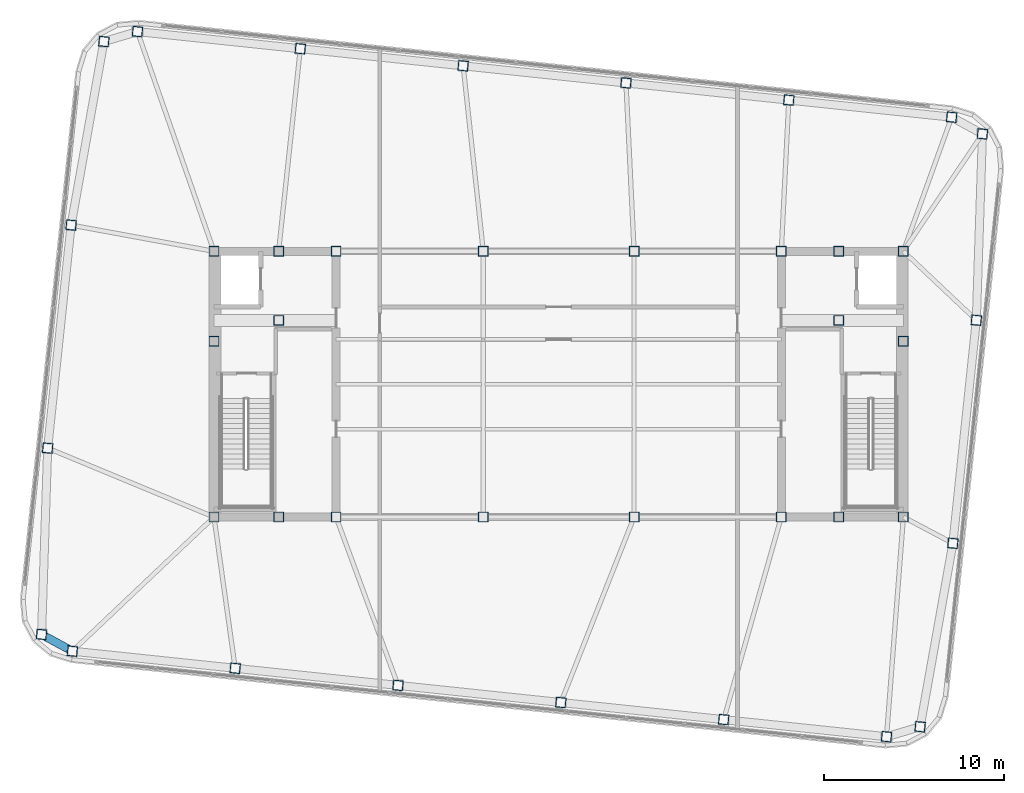
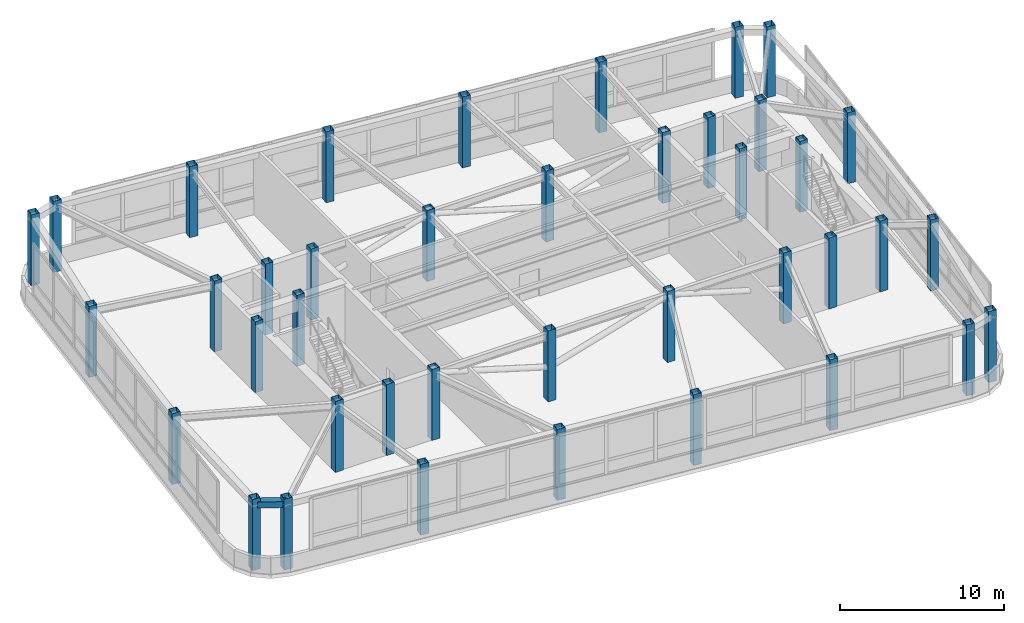
# One storey, part 1 of 23: 40 columns, 1 beam.
"""IFC4 building model written with IfcOpenShell, lengths in metres."""

from ifc_helpers import new_model, si_unit, direction, frame, origin, origin_2d, place, context, subcontext, project, spatial, hollow_rectangle, extrude, material, material_profile, profile_set, type_object, element, save


model = new_model("IFC4")

# Units and contexts
model_context = context("Model", 3, precision=1e-05, world=origin(), true_north=direction((0.0, 1.0)))
body_context = subcontext(model_context, "Body", "Model", "MODEL_VIEW")
ifc_project = project(units=[si_unit("LENGTHUNIT", "METRE"), si_unit("AREAUNIT", "SQUARE_METRE"), si_unit("VOLUMEUNIT", "CUBIC_METRE"), si_unit("PLANEANGLEUNIT", "RADIAN"), si_unit("MASSUNIT", "GRAM", prefix="KILO")], contexts=[model_context])

# Site, building, storey
site_placement = place(None, origin())
site = spatial("IfcSite", under=ifc_project, at=site_placement, CompositionType="ELEMENT")
building_placement = place(site_placement, origin())
building = spatial("IfcBuilding", under=site, at=building_placement, Name="Voryun Gate Residences", CompositionType="ELEMENT")
storey_placement = place(building_placement, frame((0.0, 0.0, 321.300048828125)))
storey = spatial("IfcBuildingStorey", under=building, at=storey_placement, Name="L79", CompositionType="ELEMENT", Elevation=321.300048828125)

# Columns
ifc_material_1 = material(Name="Steel SM355", Category="steel")
ifc_material_profile_1 = material_profile(ifc_material_1, hollow_rectangle(XDim=0.550048828125, YDim=0.550048828125, WallThickness=0.02197265625, at=origin_2d()), Name="BOX-550x550x22")
ifc_profile_set_1 = profile_set([ifc_material_profile_1], Name="Steel SM355")
column_type = type_object("IfcColumnType", Name="COL_CROWN_550", PredefinedType="COLUMN", material=ifc_profile_set_1)
for number, where, z_axis, x_axis, name in (
    (1, (-19.199951171875, -7.39990234375, 0.0), (0.0, 0.0, 1.0), (1.0, 0.0, 0.0), "L79 Core boundary column WC-SW"),
    (2, (-19.199951171875, 2.39990234375, 0.0), (0.0, 0.0, 1.0), (1.0, 0.0, 0.0), "L79 Core boundary column WC-MW"),
    (3, (-19.199951171875, 7.39990234375, 0.0), (0.0, 0.0, 1.0), (1.0, 0.0, 0.0), "L79 Core boundary column WC-NW"),
    (4, (-15.60009765625, -7.39990234375, 0.0), (0.0, 0.0, 1.0), (1.0, 0.0, 0.0), "L79 Core boundary column WC-SM"),
    (5, (-15.60009765625, 7.39990234375, 0.0), (0.0, 0.0, 1.0), (1.0, 0.0, 0.0), "L79 Core boundary column WC-NM"),
    (6, (-12.39990234375, -7.39990234375, 0.0), (0.0, 0.0, 1.0), (1.0, 0.0, 0.0), "L79 Core boundary column WC-SE"),
    (7, (-15.60009765625, 3.550048828125, 0.0), (0.0, 0.0, 1.0), (1.0, 0.0, 0.0), "L79 Core boundary column WC-MM"),
    (8, (-12.39990234375, 7.39990234375, 0.0), (0.0, 0.0, 1.0), (1.0, 0.0, 0.0), "L79 Core boundary column WC-NE"),
    (9, (12.39990234375, -7.39990234375, 0.0), (0.0, 0.0, 1.0), (1.0, 0.0, 0.0), "L79 Core boundary column EC-SW"),
    (10, (15.60009765625, 3.550048828125, 0.0), (0.0, 0.0, 1.0), (1.0, 0.0, 0.0), "L79 Core boundary column EC-MM"),
    (11, (12.39990234375, 7.39990234375, 0.0), (0.0, 0.0, 1.0), (1.0, 0.0, 0.0), "L79 Core boundary column EC-NW"),
    (12, (15.60009765625, -7.39990234375, 0.0), (0.0, 0.0, 1.0), (1.0, 0.0, 0.0), "L79 Core boundary column EC-SM"),
    (13, (15.60009765625, 7.39990234375, 0.0), (0.0, 0.0, 1.0), (1.0, 0.0, 0.0), "L79 Core boundary column EC-NM"),
    (14, (19.199951171875, -7.39990234375, 0.0), (0.0, 0.0, 1.0), (1.0, 0.0, 0.0), "L79 Core boundary column EC-SE"),
    (15, (19.199951171875, 2.39990234375, 0.0), (0.0, 0.0, 1.0), (1.0, 0.0, 0.0), "L79 Core boundary column EC-ME"),
    (16, (19.199951171875, 7.39990234375, 0.0), (0.0, 0.0, 1.0), (1.0, 0.0, 0.0), "L79 Core boundary column EC-NE"),
    (17, (-4.199951171875, -7.39990234375, 0.0), (0.0, 0.0, 1.0), (1.0, 0.0, 0.0), "L79 Interior spine column SP-WS"),
    (18, (-4.199951171875, 7.39990234375, 0.0), (0.0, 0.0, 1.0), (1.0, 0.0, 0.0), "L79 Interior spine column SP-WN"),
    (19, (4.199951171875, -7.39990234375, 0.0), (0.0, 0.0, 1.0), (1.0, 0.0, 0.0), "L79 Interior spine column SP-ES"),
    (20, (4.199951171875, 7.39990234375, 0.0), (0.0, 0.0, 1.0), (1.0, 0.0, 0.0), "L79 Interior spine column SP-EN"),
    (21, (-27.088623046875, -14.871826171875, 0.0), (0.0, 0.0, 1.0), (0.994521895368, -0.104528463268, 0.0), "L79 Crown Frame column S1"),
    (22, (-18.0185546875, -15.824951171875, 0.0), (0.0, 0.0, 1.0), (0.994521895368, -0.104528463268, 0.0), "L79 Crown Frame column S2"),
    (23, (-8.948486328125, -16.7783203125, 0.0), (0.0, 0.0, 1.0), (0.994521895368, -0.104528463268, 0.0), "L79 Crown Frame column S3"),
    (24, (0.121337890625, -17.731689453125, 0.0), (0.0, 0.0, 1.0), (0.994521895368, -0.104528463268, 0.0), "L79 Crown Frame column S4"),
    (25, (9.19140625, -18.684814453125, 0.0), (0.0, 0.0, 1.0), (0.994521895368, -0.104528463268, 0.0), "L79 Crown Frame column S5"),
    (26, (18.261474609375, -19.63818359375, 0.0), (0.0, 0.0, 1.0), (0.994521895368, -0.104528463268, 0.0), "L79 Crown Frame column S6"),
    (27, (20.1328125, -19.083984375, 0.0), (0.0, 0.0, 1.0), (0.994521895368, -0.104528463268, 0.0), "L79 Crown Frame column CSE"),
    (28, (21.958251953125, -8.861572265625, 0.0), (0.0, 0.0, 1.0), (0.994521895368, -0.104528463268, 0.0), "L79 Crown Frame column E1"),
    (29, (23.263916015625, 3.56201171875, 0.0), (0.0, 0.0, 1.0), (0.994521895368, -0.104528463268, 0.0), "L79 Crown Frame column E2"),
    (30, (23.603759765625, 13.9404296875, 0.0), (0.0, 0.0, 1.0), (0.994521895368, -0.104528463268, 0.0), "L79 Crown Frame column CNE"),
    (31, (21.888671875, 14.871826171875, 0.0), (0.0, 0.0, 1.0), (0.994521895368, -0.104528463268, 0.0), "L79 Crown Frame column N1"),
    (32, (12.818603515625, 15.824951171875, 0.0), (0.0, 0.0, 1.0), (0.994521895368, -0.104528463268, 0.0), "L79 Crown Frame column N2"),
    (33, (3.74853515625, 16.7783203125, 0.0), (0.0, 0.0, 1.0), (0.994521895368, -0.104528463268, 0.0), "L79 Crown Frame column N3"),
    (34, (-5.321533203125, 17.731689453125, 0.0), (0.0, 0.0, 1.0), (0.994521895368, -0.104528463268, 0.0), "L79 Crown Frame column N4"),
    (35, (-14.3916015625, 18.684814453125, 0.0), (0.0, 0.0, 1.0), (0.994521895368, -0.104528463268, 0.0), "L79 Crown Frame column N5"),
    (36, (-23.46142578125, 19.63818359375, 0.0), (0.0, 0.0, 1.0), (0.994521895368, -0.104528463268, 0.0), "L79 Crown Frame column N6"),
    (37, (-25.332763671875, 19.083984375, 0.0), (0.0, 0.0, 1.0), (0.994521895368, -0.104528463268, 0.0), "L79 Crown Frame column CNW"),
    (38, (-27.158203125, 8.861572265625, 0.0), (0.0, 0.0, 1.0), (0.994521895368, -0.104528463268, 0.0), "L79 Crown Frame column W1"),
    (39, (-28.464111328125, -3.56201171875, 0.0), (0.0, 0.0, 1.0), (0.994521895368, -0.104528463268, 0.0), "L79 Crown Frame column W2"),
    (40, (-28.8037109375, -13.9404296875, 0.0), (0.0, 0.0, 1.0), (0.994521895368, -0.104528463268, 0.0), "L79 Crown Frame column CSW"),
):
    element("IfcColumn", number, at=place(storey_placement, frame(where, z_axis=z_axis, x_axis=x_axis)), inside=storey, type_object=column_type, Name=name, PredefinedType="COLUMN", context=body_context, shape_type="SweptSolid", body=[
        extrude(hollow_rectangle(XDim=0.550048828125, YDim=0.550048828125, WallThickness=0.02197265625, at=origin_2d()), origin(), (0.0, 0.0, 1.0), 5.300048828125),
    ])

# Beam
ifc_material_2 = material(Name="Steel SM355", Category="steel")
ifc_material_profile_2 = material_profile(ifc_material_2, hollow_rectangle(XDim=0.449951171875, YDim=0.449951171875, WallThickness=0.01806640625, at=origin_2d()), Name="BOX-450x450x18")
ifc_profile_set_2 = profile_set([ifc_material_profile_2], Name="Steel SM355")
beam_type = type_object("IfcBeamType", Name="BM_CROWN_RING", PredefinedType="BEAM", material=ifc_profile_set_2)
beam_placement = place(storey_placement, frame((-28.8037109375, -13.9404296875, 4.800048828125), z_axis=(0.87877849121, -0.477229885262, 0.0), x_axis=(0.477229885262, 0.87877849121, 0.0)))
element("IfcBeam", 41, at=beam_placement, inside=storey, type_object=beam_type, Name="BM-L79-SPAND-20", PredefinedType="BEAM", context=body_context, shape_type="SweptSolid", body=[
    extrude(hollow_rectangle(XDim=0.449951171875, YDim=0.449951171875, WallThickness=0.01806640625, at=origin_2d()), origin(), (0.0, 0.0, 1.0), 1.95166015625),
])

save(model, "model.ifc")
